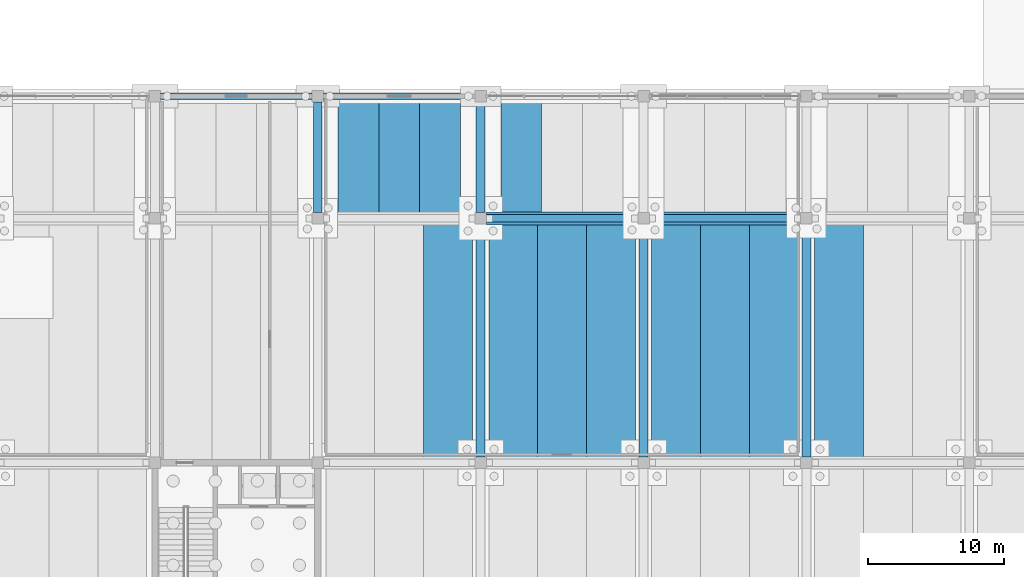
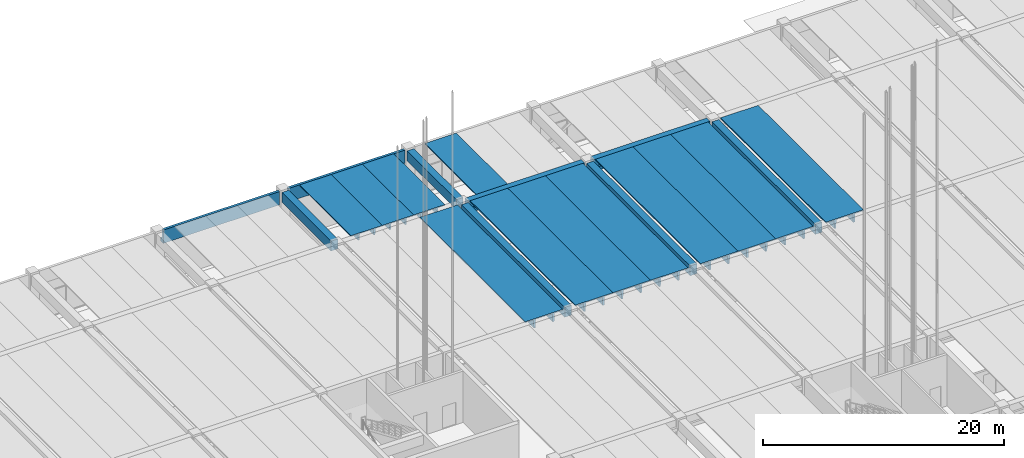
# One storey, part 18 of 59: 21 beams.
"""IFC4 building model written with IfcOpenShell, lengths in metres."""

from ifc_helpers import new_model, si_unit, direction, frame, origin, origin_2d, place, context, subcontext, project, spatial, polyline, rectangle, outline, extrude, material, material_profile, profile_set, type_object, element, save


model = new_model("IFC4")

# Units and contexts
model_context = context("Model", 3, precision=1e-05, world=origin(), true_north=direction((0.0, 1.0)))
body_context = subcontext(model_context, "Body", "Model", "MODEL_VIEW")
ifc_project = project(units=[si_unit("LENGTHUNIT", "METRE"), si_unit("AREAUNIT", "SQUARE_METRE"), si_unit("VOLUMEUNIT", "CUBIC_METRE"), si_unit("PLANEANGLEUNIT", "RADIAN"), si_unit("MASSUNIT", "GRAM", prefix="KILO")], contexts=[model_context])

# Site, building, storey
site_placement = place(None, origin())
site = spatial("IfcSite", under=ifc_project, at=site_placement, CompositionType="ELEMENT")
building_placement = place(site_placement, origin())
building = spatial("IfcBuilding", under=site, at=building_placement, Name="Girod Span Mobility Hub", CompositionType="ELEMENT")
storey_placement = place(building_placement, origin())
storey = spatial("IfcBuildingStorey", under=building, at=storey_placement, Name="L00", CompositionType="ELEMENT", Elevation=0.0)

# Beams
ifc_material_1 = material(Name="Concrete C50/60", Category="concrete")
ifc_material_profile_1 = material_profile(ifc_material_1, outline(polyline([(-1.5, 0.35009765625), (-1.5, 0.2548828125), (-0.840087890625, 0.2548828125), (-0.81494140625, -0.35009765625), (-0.68505859375, -0.35009765625), (-0.659912109375, 0.2548828125), (0.659912109375, 0.2548828125), (0.68505859375, -0.35009765625), (0.81494140625, -0.35009765625), (0.840087890625, 0.2548828125), (1.5, 0.2548828125), (1.5, 0.35009765625), (-1.5, 0.35009765625)])), Name="DT-3000X700")
ifc_profile_set_1 = profile_set([ifc_material_profile_1], Name="Concrete C50/60")
beam_type_1 = type_object("IfcBeamType", Name="BM-DT-3000X700", PredefinedType="JOIST", material=ifc_profile_set_1)
for number, where, z_axis, x_axis, name in (
    (1, (87.0, 105.27197265625, 4.85009765625), (0.0, 1.0, 0.0), (-1.0, 0.0, 0.0), "Double-Tee Deck 8/H-1 L00"),
    (2, (90.0, 105.27197265625, 4.85009765625), (0.0, 1.0, 0.0), (-1.0, 0.0, 0.0), "Double-Tee Deck 8/H-2 L00"),
    (3, (93.0, 105.27197265625, 4.85009765625), (0.0, 1.0, 0.0), (-1.0, 0.0, 0.0), "Double-Tee Deck 8/H-3 L00"),
    (4, (99.0, 105.27197265625, 4.85009765625), (0.0, 1.0, 0.0), (-1.0, 0.0, 0.0), "Double-Tee Deck 9/H-1 L00"),
):
    element("IfcBeam", number, at=place(storey_placement, frame(where, z_axis=z_axis, x_axis=x_axis)), inside=storey, type_object=beam_type_1, Name=name, PredefinedType="JOIST", context=body_context, shape_type="SweptSolid", body=[
        extrude(outline(polyline([(-1.5, 0.35009765625), (-1.5, 0.2548828125), (-0.840087890625, 0.2548828125), (-0.81494140625, -0.35009765625), (-0.68505859375, -0.35009765625), (-0.659912109375, 0.2548828125), (0.659912109375, 0.2548828125), (0.68505859375, -0.35009765625), (0.81494140625, -0.35009765625), (0.840087890625, 0.2548828125), (1.5, 0.2548828125), (1.5, 0.35009765625), (-1.5, 0.35009765625)])), origin(), (0.0, 0.0, 1.0), 8.506103515625),
    ])
ifc_material_2 = material(Name="Concrete C50/60", Category="concrete")
ifc_material_profile_2 = material_profile(ifc_material_2, outline(polyline([(-1.800048828125, 0.47509765625), (-1.800048828125, 0.364990234375), (-1.010009765625, 0.364990234375), (-0.97509765625, -0.47509765625), (-0.824951171875, -0.47509765625), (-0.7900390625, 0.364990234375), (0.7900390625, 0.364990234375), (0.824951171875, -0.47509765625), (0.97509765625, -0.47509765625), (1.010009765625, 0.364990234375), (1.800048828125, 0.364990234375), (1.800048828125, 0.47509765625), (-1.800048828125, 0.47509765625)])), Name="DT-3600X950")
ifc_profile_set_2 = profile_set([ifc_material_profile_2], Name="Concrete C50/60")
beam_type_2 = type_object("IfcBeamType", Name="BM-DT-3600X950", PredefinedType="JOIST", material=ifc_profile_set_2)
for number, where, z_axis, x_axis, name in (
    (5, (93.60009765625, 87.27197265625, 4.72509765625), (0.0, 1.0, 0.0), (-1.0, 0.0, 0.0), "Double-Tee Deck 8/G-3 L00"),
    (6, (98.39990234375, 87.27197265625, 4.72509765625), (0.0, 1.0, 0.0), (-1.0, 0.0, 0.0), "Double-Tee Deck 9/G-1 L00"),
    (7, (102.0, 87.27197265625, 4.72509765625), (0.0, 1.0, 0.0), (-1.0, 0.0, 0.0), "Double-Tee Deck 9/G-2 L00"),
    (8, (105.60009765625, 87.27197265625, 4.72509765625), (0.0, 1.0, 0.0), (-1.0, 0.0, 0.0), "Double-Tee Deck 9/G-3 L00"),
    (9, (110.39990234375, 87.27197265625, 4.72509765625), (0.0, 1.0, 0.0), (-1.0, 0.0, 0.0), "Double-Tee Deck 10/G-1 L00"),
    (10, (114.0, 87.27197265625, 4.72509765625), (0.0, 1.0, 0.0), (-1.0, 0.0, 0.0), "Double-Tee Deck 10/G-2 L00"),
    (11, (117.60009765625, 87.27197265625, 4.72509765625), (0.0, 1.0, 0.0), (-1.0, 0.0, 0.0), "Double-Tee Deck 10/G-3 L00"),
    (12, (122.39990234375, 87.27197265625, 4.72509765625), (0.0, 1.0, 0.0), (-1.0, 0.0, 0.0), "Double-Tee Deck 11/G-1 L00"),
):
    element("IfcBeam", number, at=place(storey_placement, frame(where, z_axis=z_axis, x_axis=x_axis)), inside=storey, type_object=beam_type_2, Name=name, PredefinedType="JOIST", context=body_context, shape_type="SweptSolid", body=[
        extrude(outline(polyline([(-1.800048828125, 0.47509765625), (-1.800048828125, 0.364990234375), (-1.010009765625, 0.364990234375), (-0.97509765625, -0.47509765625), (-0.824951171875, -0.47509765625), (-0.7900390625, 0.364990234375), (0.7900390625, 0.364990234375), (0.824951171875, -0.47509765625), (0.97509765625, -0.47509765625), (1.010009765625, 0.364990234375), (1.800048828125, 0.364990234375), (1.800048828125, 0.47509765625), (-1.800048828125, 0.47509765625)])), origin(), (0.0, 0.0, 1.0), 17.4560546875),
    ])
ifc_material_3 = material(Name="Concrete C50/60", Category="concrete")
ifc_material_profile_3 = material_profile(ifc_material_3, outline(polyline([(-0.47509765625, -0.52490234375), (0.47509765625, -0.52490234375), (0.47509765625, -0.175048828125), (0.27490234375, -0.175048828125), (0.27490234375, 0.52490234375), (-0.27490234375, 0.52490234375), (-0.27490234375, -0.175048828125), (-0.47509765625, -0.175048828125), (-0.47509765625, -0.52490234375)])), Name="IT-950X1050")
ifc_profile_set_3 = profile_set([ifc_material_profile_3], Name="Concrete C50/60")
beam_type_3 = type_object("IfcBeamType", Name="BM-IT-950X1050", PredefinedType="T_BEAM", material=ifc_profile_set_3)
for number, where, z_axis, x_axis, name in (
    (13, (96.422119140625, 105.0, 4.675048828125), (1.0, 0.0, 0.0), (0.0, 1.0, 0.0), "Girder 9-10/H L00"),
    (14, (108.422119140625, 105.0, 4.675048828125), (1.0, 0.0, 0.0), (0.0, 1.0, 0.0), "Girder 10-11/H L00"),
):
    element("IfcBeam", number, at=place(storey_placement, frame(where, z_axis=z_axis, x_axis=x_axis)), inside=storey, type_object=beam_type_3, Name=name, PredefinedType="T_BEAM", context=body_context, shape_type="SweptSolid", body=[
        extrude(outline(polyline([(-0.47509765625, -0.52490234375), (0.47509765625, -0.52490234375), (0.47509765625, -0.175048828125), (0.27490234375, -0.175048828125), (0.27490234375, 0.52490234375), (-0.27490234375, 0.52490234375), (-0.27490234375, -0.175048828125), (-0.47509765625, -0.175048828125), (-0.47509765625, -0.52490234375)])), origin(), (0.0, 0.0, 1.0), 11.15576171875),
    ])
ifc_material_4 = material(Name="Concrete C40/50", Category="concrete")
ifc_material_profile_4 = material_profile(ifc_material_4, outline(polyline([(-0.22509765625, -0.675048828125), (0.22509765625, -0.675048828125), (0.22509765625, -0.324951171875), (0.02490234375, -0.324951171875), (0.02490234375, 0.675048828125), (-0.22509765625, 0.675048828125), (-0.22509765625, -0.675048828125)])), Name="SP-450X1350")
ifc_profile_set_4 = profile_set([ifc_material_profile_4], Name="Concrete C40/50")
beam_type_4 = type_object("IfcBeamType", Name="BM-SP-450X1350", PredefinedType="SPANDREL", material=ifc_profile_set_4)
for number, where, z_axis, x_axis, name in (
    (15, (72.422119140625, 114.0, 4.52490234375), (1.0, 0.0, 0.0), (0.0, 1.0, 0.0), "Girder 7-8/J L00"),
    (16, (84.422119140625, 114.0, 4.52490234375), (1.0, 0.0, 0.0), (0.0, 1.0, 0.0), "Girder 8-9/J L00"),
):
    element("IfcBeam", number, at=place(storey_placement, frame(where, z_axis=z_axis, x_axis=x_axis)), inside=storey, type_object=beam_type_4, Name=name, PredefinedType="SPANDREL", context=body_context, shape_type="SweptSolid", body=[
        extrude(outline(polyline([(-0.22509765625, -0.675048828125), (0.22509765625, -0.675048828125), (0.22509765625, -0.324951171875), (0.02490234375, -0.324951171875), (0.02490234375, 0.675048828125), (-0.22509765625, 0.675048828125), (-0.22509765625, -0.675048828125)])), origin(), (0.0, 0.0, 1.0), 11.15576171875),
    ])
ifc_material_5 = material(Name="Concrete C40/50", Category="concrete")
ifc_material_profile_5 = material_profile(ifc_material_5, rectangle(XDim=0.64990234375, YDim=1.0, at=origin_2d()), Name="TG-650X1000")
ifc_profile_set_5 = profile_set([ifc_material_profile_5], Name="Concrete C40/50")
beam_type_5 = type_object("IfcBeamType", Name="BM-TG-650X1000", PredefinedType="T_BEAM", material=ifc_profile_set_5)
beam_1_placement = place(storey_placement, frame((84.0, 105.422119140625, 4.699951171875), z_axis=(0.0, 1.0, 0.0), x_axis=(-1.0, 0.0, 0.0)))
element("IfcBeam", 17, at=beam_1_placement, inside=storey, type_object=beam_type_5, Name="Tie Girder 8/H-J L00", PredefinedType="T_BEAM", context=body_context, shape_type="SweptSolid", body=[
    extrude(rectangle(XDim=0.64990234375, YDim=1.0, at=origin_2d()), origin(), (0.0, 0.0, 1.0), 8.15576171875),
])
beam_2_placement = place(storey_placement, frame((96.0, 87.422119140625, 4.699951171875), z_axis=(0.0, 1.0, 0.0), x_axis=(-1.0, 0.0, 0.0)))
element("IfcBeam", 18, at=beam_2_placement, inside=storey, type_object=beam_type_5, Name="Tie Girder 9/G-H L00", PredefinedType="T_BEAM", context=body_context, shape_type="SweptSolid", body=[
    extrude(rectangle(XDim=0.64990234375, YDim=1.0, at=origin_2d()), origin(), (0.0, 0.0, 1.0), 17.15576171875),
])
beam_3_placement = place(storey_placement, frame((96.0, 105.422119140625, 4.699951171875), z_axis=(0.0, 1.0, 0.0), x_axis=(-1.0, 0.0, 0.0)))
element("IfcBeam", 19, at=beam_3_placement, inside=storey, type_object=beam_type_5, Name="Tie Girder 9/H-J L00", PredefinedType="T_BEAM", context=body_context, shape_type="SweptSolid", body=[
    extrude(rectangle(XDim=0.64990234375, YDim=1.0, at=origin_2d()), origin(), (0.0, 0.0, 1.0), 8.15576171875),
])
for number, where, z_axis, x_axis, name in (
    (20, (108.0, 87.422119140625, 4.699951171875), (0.0, 1.0, 0.0), (-1.0, 0.0, 0.0), "Tie Girder 10/G-H L00"),
    (21, (120.0, 87.422119140625, 4.699951171875), (0.0, 1.0, 0.0), (-1.0, 0.0, 0.0), "Tie Girder 11/G-H L00"),
):
    element("IfcBeam", number, at=place(storey_placement, frame(where, z_axis=z_axis, x_axis=x_axis)), inside=storey, type_object=beam_type_5, Name=name, PredefinedType="T_BEAM", context=body_context, shape_type="SweptSolid", body=[
        extrude(rectangle(XDim=0.64990234375, YDim=1.0, at=origin_2d()), origin(), (0.0, 0.0, 1.0), 17.15576171875),
    ])

save(model, "model.ifc")
